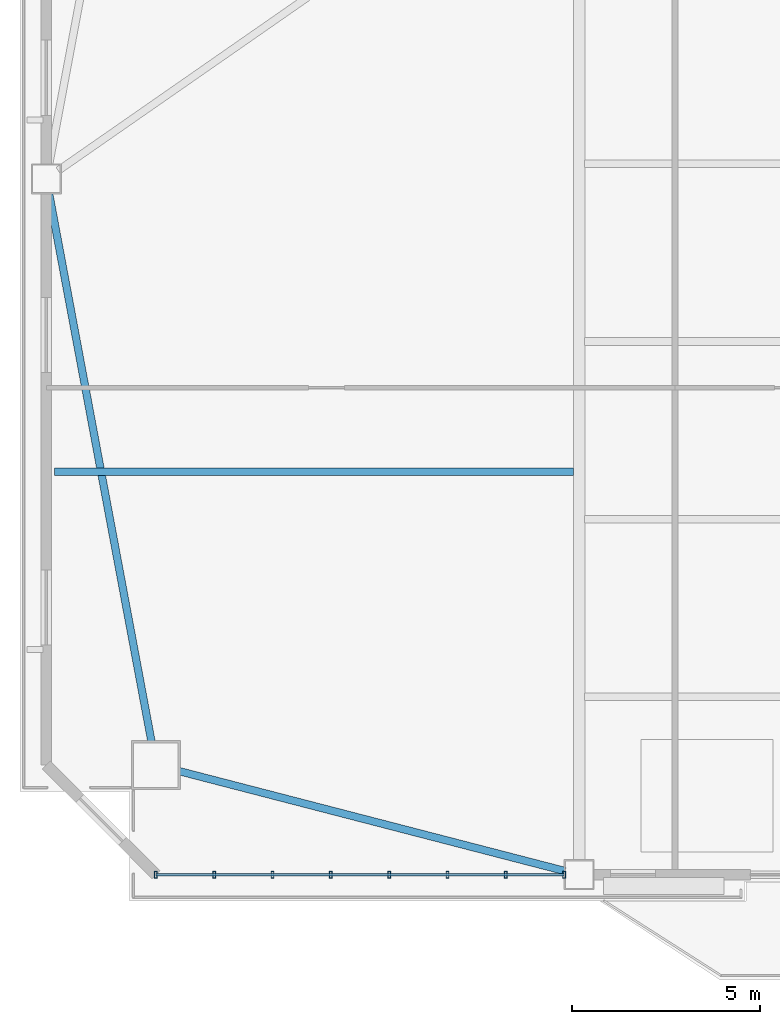
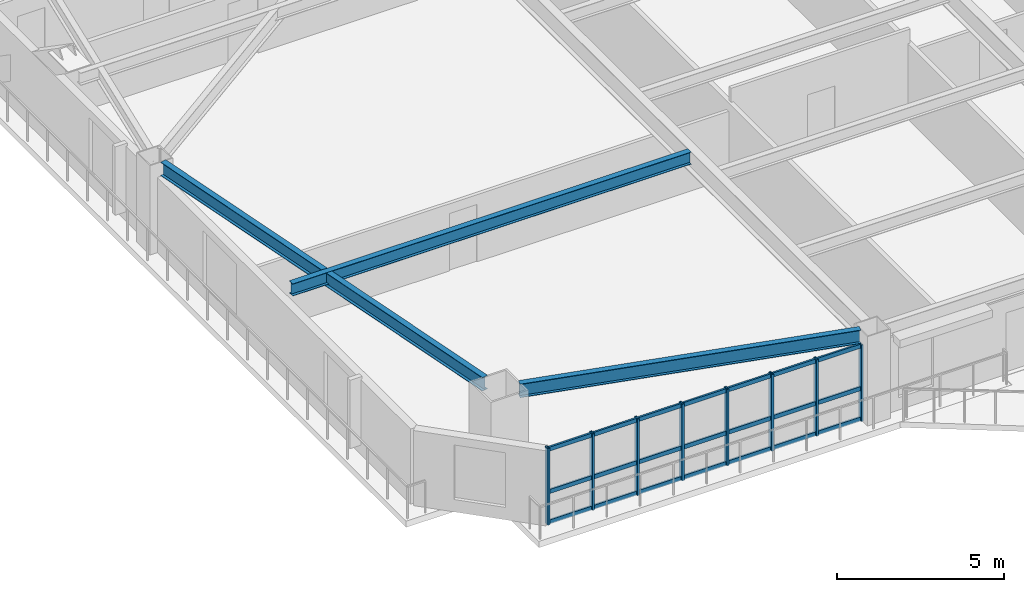
# One storey, part 2 of 16: 11 members, 3 beams, 1 element without a shape of its own.
"""IFC4 building model written with IfcOpenShell, lengths in metres."""

from ifc_helpers import new_model, si_unit, direction, frame, origin, origin_2d, place, context, subcontext, project, spatial, hollow_rectangle, i_section, extrude, source, transform, mapped, material, layer, layer_set, material_profile, profile_set, type_object, element, aggregate, save


model = new_model("IFC4")

# Units and contexts
model_context = context("Model", 3, precision=1e-05, world=origin(), true_north=direction((0.0, 1.0)))
body_context = subcontext(model_context, "Body", "Model", "MODEL_VIEW")
ifc_project = project(units=[si_unit("LENGTHUNIT", "METRE"), si_unit("AREAUNIT", "SQUARE_METRE"), si_unit("VOLUMEUNIT", "CUBIC_METRE"), si_unit("PLANEANGLEUNIT", "RADIAN"), si_unit("MASSUNIT", "GRAM", prefix="KILO")], contexts=[model_context])

# Site, building, storey
site_placement = place(None, origin())
site = spatial("IfcSite", under=ifc_project, at=site_placement, CompositionType="ELEMENT")
building_placement = place(site_placement, origin())
building = spatial("IfcBuilding", under=site, at=building_placement, Name="Giltprow Tower", CompositionType="ELEMENT")
storey_placement = place(building_placement, frame((0.0, 0.0, 163.199951171875)))
storey = spatial("IfcBuildingStorey", under=building, at=storey_placement, Name="L40", CompositionType="ELEMENT", Elevation=163.199951171875)

# Beams
ifc_material_1 = material(Name="Structural steel Q355B", Category="steel")
ifc_material_profile_1 = material_profile(ifc_material_1, i_section(OverallWidth=0.199951171875, OverallDepth=0.5, WebThickness=0.010009765625, FlangeThickness=0.01611328125, at=origin_2d()), Name="HN 500x200x10x16")
ifc_profile_set_1 = profile_set([ifc_material_profile_1], Name="Structural steel Q355B")
beam_type_1 = type_object("IfcBeamType", Name="BM-SPAN-HN500", PredefinedType="SPANDREL", material=ifc_profile_set_1)
shared_shape_1 = source(origin(), body_context, "Body", "SweptSolid", [
    extrude(i_section(OverallWidth=0.199951171875, OverallDepth=0.5, WebThickness=0.010009765625, FlangeThickness=0.01611328125, at=origin_2d()), origin(), (0.0, 0.0, 1.0), 10.603759765625),
])
beam_1_placement = place(storey_placement, frame((9.2119140625, 11.85205078125, 3.02001953125), z_axis=(0.968074122334, -0.250664105262, 0.0), x_axis=(0.250664105262, 0.968074122334, 0.0)))
element("IfcBeam", 1, at=beam_1_placement, inside=storey, type_object=beam_type_1, Name="L40 Perimeter Spandrel Beam MC_SW-S1", PredefinedType="SPANDREL", context=body_context, shape_type="MappedRepresentation", body=[
    mapped(shared_shape_1, transform((0.0, 0.0, 0.0), x_axis=(1.0, 0.0, 0.0), y_axis=(0.0, 1.0, 0.0), z_axis=(0.0, 0.0, 1.0), scale=1.0)),
])
shared_shape_2 = source(origin(), body_context, "Body", "SweptSolid", [
    extrude(i_section(OverallWidth=0.199951171875, OverallDepth=0.5, WebThickness=0.010009765625, FlangeThickness=0.01611328125, at=origin_2d()), origin(), (0.0, 0.0, 1.0), 14.83837890625),
])
beam_2_placement = place(storey_placement, frame((5.7548828125, 27.220947265625, 3.02001953125), z_axis=(0.183652712761, -0.982991190752, 0.0), x_axis=(0.982991190752, 0.183652712761, 0.0)))
element("IfcBeam", 2, at=beam_2_placement, inside=storey, type_object=beam_type_1, Name="L40 Perimeter Spandrel Beam W_MID-MC_SW", PredefinedType="SPANDREL", context=body_context, shape_type="MappedRepresentation", body=[
    mapped(shared_shape_2, transform((0.0, 0.0, 0.0), x_axis=(1.0, 0.0, 0.0), y_axis=(0.0, 1.0, 0.0), z_axis=(0.0, 0.0, 1.0), scale=1.0)),
])
ifc_material_profile_2 = material_profile(ifc_material_1, i_section(OverallWidth=0.199951171875, OverallDepth=0.449951171875, WebThickness=0.009033203125, FlangeThickness=0.013916015625, at=origin_2d()), Name="HN 450x200x9x14")
ifc_profile_set_2 = profile_set([ifc_material_profile_2], Name="Structural steel Q355B")
beam_type_2 = type_object("IfcBeamType", Name="BM-JOIST-HN450", PredefinedType="JOIST", material=ifc_profile_set_2)
shared_shape_3 = source(origin(), body_context, "Body", "SweptSolid", [
    extrude(i_section(OverallWidth=0.199951171875, OverallDepth=0.449951171875, WebThickness=0.009033203125, FlangeThickness=0.013916015625, at=origin_2d()), origin(), (0.0, 0.0, 1.0), 13.801025390625),
])
beam_3_placement = place(storey_placement, frame((5.904052734375, 19.804931640625, 3.045166015625), z_axis=(1.0, 0.0, 0.0), x_axis=(0.0, 1.0, 0.0)))
element("IfcBeam", 3, at=beam_3_placement, inside=storey, type_object=beam_type_2, Name="L40 West Wing Floor Joist 1", PredefinedType="JOIST", context=body_context, shape_type="MappedRepresentation", body=[
    mapped(shared_shape_3, transform((0.0, 0.0, 0.0), x_axis=(1.0, 0.0, 0.0), y_axis=(0.0, 1.0, 0.0), z_axis=(0.0, 0.0, 1.0), scale=1.0)),
])

# Curtain wall, members
ifc_material_2 = material(Name="Anodized bronze", Category="metal")
ifc_layer = layer(ifc_material_2, 0.179931640625, Name="Anodized bronze")
ifc_layer_set = layer_set([ifc_layer], Name="Anodized bronze")
curtain_wall_type = type_object("IfcCurtainWallType", Name="CW-HTL-BRONZE", PredefinedType="NOTDEFINED", material=ifc_layer_set)
curtain_wall_placement = place(storey_placement, origin())
curtain_wall = element("IfcCurtainWall", 4, at=curtain_wall_placement, inside=storey, type_object=curtain_wall_type, Name="L40 South Recessed Curtain Wall 1", PredefinedType="NOTDEFINED")
ifc_material_profile_3 = material_profile(ifc_material_2, hollow_rectangle(XDim=0.074951171875, YDim=0.179931640625, WallThickness=0.008056640625, at=origin_2d()), Name="RHS 180x75x8")
ifc_profile_set_3 = profile_set([ifc_material_profile_3], Name="Anodized bronze")
member_type_1 = type_object("IfcMemberType", Name="CW-MULLION-180x75", PredefinedType="MULLION", material=ifc_profile_set_3)
shared_shape_4 = source(origin(), body_context, "Body", "SweptSolid", [
    extrude(hollow_rectangle(XDim=0.074951171875, YDim=0.179931640625, WallThickness=0.008056640625, at=origin_2d()), origin(), (0.0, 0.0, 1.0), 2.80517578125),
])
member_1_placement = place(storey_placement, frame((8.596923828125, 9.097900390625, -0.02001953125), z_axis=(0.0, 0.0, 1.0), x_axis=(1.0, 0.0, 0.0)))
member_1 = element("IfcMember", 5, at=member_1_placement, type_object=member_type_1, Name="L40 South Recessed Curtain Wall 1 Mullion 1", PredefinedType="MULLION", context=body_context, shape_type="MappedRepresentation", body=[
    mapped(shared_shape_4, transform((0.0, 0.0, 0.0), x_axis=(1.0, 0.0, 0.0), y_axis=(0.0, 1.0, 0.0), z_axis=(0.0, 0.0, 1.0), scale=1.0)),
])
member_2_placement = place(storey_placement, frame((10.14697265625, 9.097900390625, -0.02001953125), z_axis=(0.0, 0.0, 1.0), x_axis=(1.0, 0.0, 0.0)))
member_2 = element("IfcMember", 6, at=member_2_placement, type_object=member_type_1, Name="L40 South Recessed Curtain Wall 1 Mullion 2", PredefinedType="MULLION", context=body_context, shape_type="MappedRepresentation", body=[
    mapped(shared_shape_4, transform((0.0, 0.0, 0.0), x_axis=(1.0, 0.0, 0.0), y_axis=(0.0, 1.0, 0.0), z_axis=(0.0, 0.0, 1.0), scale=1.0)),
])
member_3_placement = place(storey_placement, frame((11.697998046875, 9.097900390625, -0.02001953125), z_axis=(0.0, 0.0, 1.0), x_axis=(1.0, 0.0, 0.0)))
member_3 = element("IfcMember", 7, at=member_3_placement, type_object=member_type_1, Name="L40 South Recessed Curtain Wall 1 Mullion 3", PredefinedType="MULLION", context=body_context, shape_type="MappedRepresentation", body=[
    mapped(shared_shape_4, transform((0.0, 0.0, 0.0), x_axis=(1.0, 0.0, 0.0), y_axis=(0.0, 1.0, 0.0), z_axis=(0.0, 0.0, 1.0), scale=1.0)),
])
member_4_placement = place(storey_placement, frame((13.248046875, 9.097900390625, -0.02001953125), z_axis=(0.0, 0.0, 1.0), x_axis=(1.0, 0.0, 0.0)))
member_4 = element("IfcMember", 8, at=member_4_placement, type_object=member_type_1, Name="L40 South Recessed Curtain Wall 1 Mullion 4", PredefinedType="MULLION", context=body_context, shape_type="MappedRepresentation", body=[
    mapped(shared_shape_4, transform((0.0, 0.0, 0.0), x_axis=(1.0, 0.0, 0.0), y_axis=(0.0, 1.0, 0.0), z_axis=(0.0, 0.0, 1.0), scale=1.0)),
])
member_5_placement = place(storey_placement, frame((14.799072265625, 9.097900390625, -0.02001953125), z_axis=(0.0, 0.0, 1.0), x_axis=(1.0, 0.0, 0.0)))
member_5 = element("IfcMember", 9, at=member_5_placement, type_object=member_type_1, Name="L40 South Recessed Curtain Wall 1 Mullion 5", PredefinedType="MULLION", context=body_context, shape_type="MappedRepresentation", body=[
    mapped(shared_shape_4, transform((0.0, 0.0, 0.0), x_axis=(1.0, 0.0, 0.0), y_axis=(0.0, 1.0, 0.0), z_axis=(0.0, 0.0, 1.0), scale=1.0)),
])
member_6_placement = place(storey_placement, frame((16.34912109375, 9.097900390625, -0.02001953125), z_axis=(0.0, 0.0, 1.0), x_axis=(1.0, 0.0, 0.0)))
member_6 = element("IfcMember", 10, at=member_6_placement, type_object=member_type_1, Name="L40 South Recessed Curtain Wall 1 Mullion 6", PredefinedType="MULLION", context=body_context, shape_type="MappedRepresentation", body=[
    mapped(shared_shape_4, transform((0.0, 0.0, 0.0), x_axis=(1.0, 0.0, 0.0), y_axis=(0.0, 1.0, 0.0), z_axis=(0.0, 0.0, 1.0), scale=1.0)),
])
member_7_placement = place(storey_placement, frame((17.89990234375, 9.097900390625, -0.02001953125), z_axis=(0.0, 0.0, 1.0), x_axis=(1.0, 0.0, 0.0)))
member_7 = element("IfcMember", 11, at=member_7_placement, type_object=member_type_1, Name="L40 South Recessed Curtain Wall 1 Mullion 7", PredefinedType="MULLION", context=body_context, shape_type="MappedRepresentation", body=[
    mapped(shared_shape_4, transform((0.0, 0.0, 0.0), x_axis=(1.0, 0.0, 0.0), y_axis=(0.0, 1.0, 0.0), z_axis=(0.0, 0.0, 1.0), scale=1.0)),
])
member_8_placement = place(storey_placement, frame((19.449951171875, 9.097900390625, -0.02001953125), z_axis=(0.0, 0.0, 1.0), x_axis=(1.0, 0.0, 0.0)))
member_8 = element("IfcMember", 12, at=member_8_placement, type_object=member_type_1, Name="L40 South Recessed Curtain Wall 1 Mullion 8", PredefinedType="MULLION", context=body_context, shape_type="MappedRepresentation", body=[
    mapped(shared_shape_4, transform((0.0, 0.0, 0.0), x_axis=(1.0, 0.0, 0.0), y_axis=(0.0, 1.0, 0.0), z_axis=(0.0, 0.0, 1.0), scale=1.0)),
])
ifc_material_profile_4 = material_profile(ifc_material_2, hollow_rectangle(XDim=0.06494140625, YDim=0.14990234375, WallThickness=0.006103515625, at=origin_2d()), Name="RHS 150x65x6")
ifc_profile_set_4 = profile_set([ifc_material_profile_4], Name="Anodized bronze")
member_type_2 = type_object("IfcMemberType", Name="CW-TRANSOM-150x65", PredefinedType="USERDEFINED", material=ifc_profile_set_4)
shared_shape_5 = source(origin(), body_context, "Body", "SweptSolid", [
    extrude(hollow_rectangle(XDim=0.06494140625, YDim=0.14990234375, WallThickness=0.006103515625, at=origin_2d()), origin(), (0.0, 0.0, 1.0), 10.85302734375),
])
member_9_placement = place(storey_placement, frame((8.596923828125, 9.097900390625, 0.0400390625), z_axis=(1.0, 0.0, 0.0), x_axis=(0.0, 1.0, 0.0)))
member_9 = element("IfcMember", 13, at=member_9_placement, type_object=member_type_2, Name="L40 South Recessed Curtain Wall 1 Transom 1", ObjectType="TRANSOM", PredefinedType="USERDEFINED", context=body_context, shape_type="MappedRepresentation", body=[
    mapped(shared_shape_5, transform((0.0, 0.0, 0.0), x_axis=(1.0, 0.0, 0.0), y_axis=(0.0, 1.0, 0.0), z_axis=(0.0, 0.0, 1.0), scale=1.0)),
])
member_10_placement = place(storey_placement, frame((8.596923828125, 9.097900390625, 1.155029296875), z_axis=(1.0, 0.0, 0.0), x_axis=(0.0, 1.0, 0.0)))
member_10 = element("IfcMember", 14, at=member_10_placement, type_object=member_type_2, Name="L40 South Recessed Curtain Wall 1 Transom 2", ObjectType="TRANSOM", PredefinedType="USERDEFINED", context=body_context, shape_type="MappedRepresentation", body=[
    mapped(shared_shape_5, transform((0.0, 0.0, 0.0), x_axis=(1.0, 0.0, 0.0), y_axis=(0.0, 1.0, 0.0), z_axis=(0.0, 0.0, 1.0), scale=1.0)),
])
member_11_placement = place(storey_placement, frame((8.596923828125, 9.097900390625, 2.7099609375), z_axis=(1.0, 0.0, 0.0), x_axis=(0.0, 1.0, 0.0)))
member_11 = element("IfcMember", 15, at=member_11_placement, type_object=member_type_2, Name="L40 South Recessed Curtain Wall 1 Transom 3", ObjectType="TRANSOM", PredefinedType="USERDEFINED", context=body_context, shape_type="MappedRepresentation", body=[
    mapped(shared_shape_5, transform((0.0, 0.0, 0.0), x_axis=(1.0, 0.0, 0.0), y_axis=(0.0, 1.0, 0.0), z_axis=(0.0, 0.0, 1.0), scale=1.0)),
])
aggregate(curtain_wall, [member_1, member_2, member_3, member_4, member_5, member_6, member_7, member_8, member_9, member_10, member_11])

save(model, "model.ifc")
